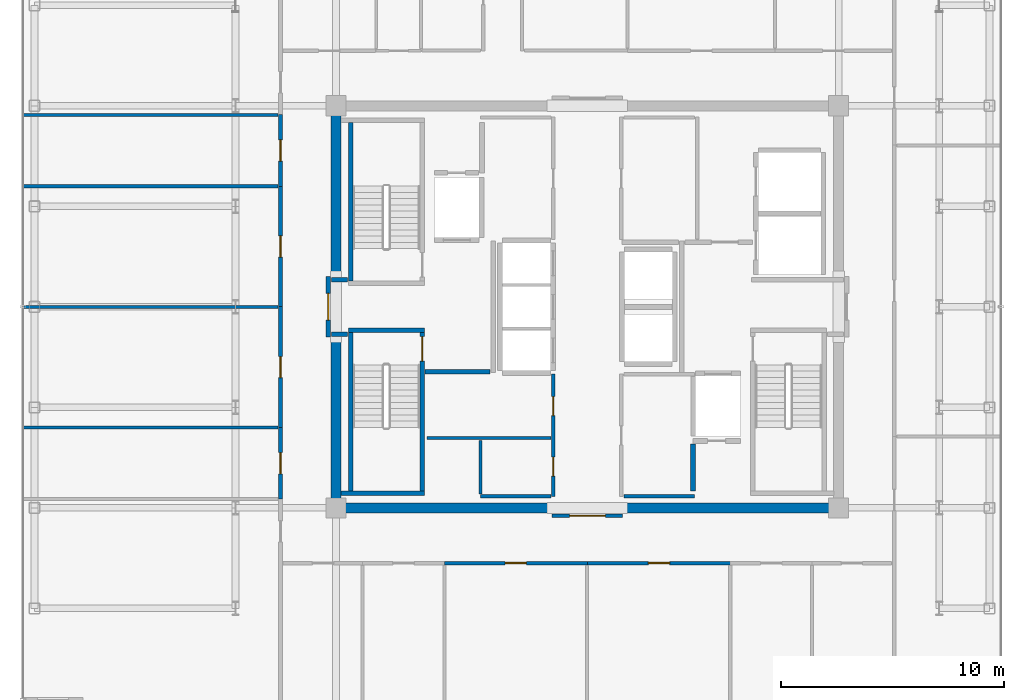
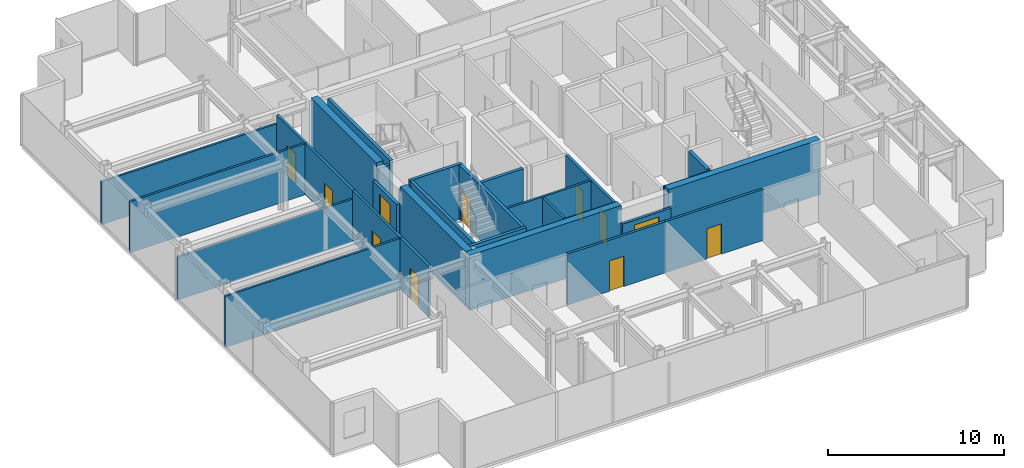
# One storey, part 13 of 18: 30 walls, 11 doors, 11 openings.
"""IFC4 building model written with IfcOpenShell, lengths in metres."""

from ifc_helpers import new_model, si_unit, direction, frame, frame_2d, origin, place, context, subcontext, project, spatial, rectangle, extrude, source, transform, mapped, material, layer, layer_set, type_object, element, fill, save


model = new_model("IFC4")

# Units and contexts
model_context = context("Model", 3, precision=1e-05, world=origin(), true_north=direction((0.0, 1.0)))
body_context = subcontext(model_context, "Body", "Model", "MODEL_VIEW")
ifc_project = project(units=[si_unit("LENGTHUNIT", "METRE"), si_unit("AREAUNIT", "SQUARE_METRE"), si_unit("VOLUMEUNIT", "CUBIC_METRE"), si_unit("PLANEANGLEUNIT", "RADIAN"), si_unit("MASSUNIT", "GRAM", prefix="KILO")], contexts=[model_context])

# Site, building, storey
site_placement = place(None, origin())
site = spatial("IfcSite", under=ifc_project, at=site_placement, CompositionType="ELEMENT")
building_placement = place(site_placement, origin())
building = spatial("IfcBuilding", under=site, at=building_placement, Name="Nefas-Gora Pilgrimage Tower", CompositionType="ELEMENT")
storey_placement = place(building_placement, frame((0.0, 0.0, 302.60009765625)))
storey = spatial("IfcBuildingStorey", under=building, at=storey_placement, Name="L76", CompositionType="ELEMENT", Elevation=302.60009765625)

# Walls
ifc_material_1 = material(Name="Concrete C50/60", Category="concrete")
ifc_layer_1 = layer(ifc_material_1, 0.449951171875)
ifc_layer_set_1 = layer_set([ifc_layer_1], Name="Concrete C50/60")
wall_type_1 = type_object("IfcWallType", Name="SW-CORE-450", PredefinedType="SHEAR", material=ifc_layer_set_1)
shared_shape_1 = source(origin(), body_context, "Body", "SweptSolid", [
    extrude(rectangle(XDim=9.925048828125, YDim=0.449951171875, at=frame_2d((4.96240234375, 0.0))), origin(), (0.0, 0.0, 1.0), 3.7998046875),
])
for number, where, z_axis, x_axis, name in (
    (1, (-11.47509765625, -9.0, 0.0), (0.0, 0.0, 1.0), (1.0, 0.0, 0.0), "L76 Core Shear Wall S-West"),
    (2, (1.550048828125, -9.0, 0.0), (0.0, 0.0, 1.0), (1.0, 0.0, 0.0), "L76 Core Shear Wall S-East"),
):
    element("IfcWall", number, at=place(storey_placement, frame(where, z_axis=z_axis, x_axis=x_axis)), inside=storey, type_object=wall_type_1, Name=name, PredefinedType="SHEAR", context=body_context, shape_type="MappedRepresentation", body=[
        mapped(shared_shape_1, transform((0.0, 0.0, 0.0), x_axis=(1.0, 0.0, 0.0), y_axis=(0.0, 1.0, 0.0), z_axis=(0.0, 0.0, 1.0), scale=1.0)),
    ])
shared_shape_2 = source(origin(), body_context, "Body", "SweptSolid", [
    extrude(rectangle(XDim=7.4248046875, YDim=0.449951171875, at=frame_2d((3.71240234375, 0.0))), origin(), (0.0, 0.0, 1.0), 3.7998046875),
])
for number, where, z_axis, x_axis, name in (
    (3, (-11.25, -8.77490234375, 0.0), (0.0, 0.0, 1.0), (0.0, 1.0, 0.0), "L76 Core Shear Wall W-South"),
    (4, (-11.25, 1.35009765625, 0.0), (0.0, 0.0, 1.0), (0.0, 1.0, 0.0), "L76 Core Shear Wall W-North"),
):
    element("IfcWall", number, at=place(storey_placement, frame(where, z_axis=z_axis, x_axis=x_axis)), inside=storey, type_object=wall_type_1, Name=name, PredefinedType="SHEAR", context=body_context, shape_type="MappedRepresentation", body=[
        mapped(shared_shape_2, transform((0.0, 0.0, 0.0), x_axis=(1.0, 0.0, 0.0), y_axis=(0.0, 1.0, 0.0), z_axis=(0.0, 0.0, 1.0), scale=1.0)),
    ])
ifc_material_2 = material(Name="Concrete C45/55", Category="concrete")
ifc_layer_2 = layer(ifc_material_2, 0.199951171875)
ifc_layer_set_2 = layer_set([ifc_layer_2], Name="Concrete C45/55")
wall_type_2 = type_object("IfcWallType", Name="IW-STAIR-200", PredefinedType="SOLIDWALL", material=ifc_layer_set_2)
shared_shape_3 = source(origin(), body_context, "Body", "SweptSolid", [
    extrude(rectangle(XDim=3.39990234375, YDim=0.199951171875, at=frame_2d((1.699951171875, 0.0))), origin(), (0.0, 0.0, 1.0), 3.7998046875),
])
wall_1_placement = place(storey_placement, frame((-10.699951171875, -1.050048828125, 0.0), z_axis=(0.0, 0.0, 1.0), x_axis=(1.0, 0.0, 0.0)))
element("IfcWall", 5, at=wall_1_placement, inside=storey, type_object=wall_type_2, Name="L76 Stairwell Shear Wall ST-03-near", PredefinedType="SOLIDWALL", context=body_context, shape_type="MappedRepresentation", body=[
    mapped(shared_shape_3, transform((0.0, 0.0, 0.0), x_axis=(1.0, 0.0, 0.0), y_axis=(0.0, 1.0, 0.0), z_axis=(0.0, 0.0, 1.0), scale=1.0)),
])
shared_shape_4 = source(origin(), body_context, "Body", "SweptSolid", [
    extrude(rectangle(XDim=7.10009765625, YDim=0.199951171875, at=frame_2d((3.550048828125, 0.0))), origin(), (0.0, 0.0, 1.0), 3.7998046875),
])
for number, where, z_axis, x_axis, name in (
    (6, (-10.60009765625, 1.14990234375, 0.0), (0.0, 0.0, 1.0), (0.0, 1.0, 0.0), "L76 Stairwell Shear Wall ST-01-right"),
    (7, (-10.60009765625, -1.14990234375, 0.0), (0.0, 0.0, 1.0), (0.0, -1.0, 0.0), "L76 Stairwell Shear Wall ST-03-left"),
):
    element("IfcWall", number, at=place(storey_placement, frame(where, z_axis=z_axis, x_axis=x_axis)), inside=storey, type_object=wall_type_2, Name=name, PredefinedType="SOLIDWALL", context=body_context, shape_type="MappedRepresentation", body=[
        mapped(shared_shape_4, transform((0.0, 0.0, 0.0), x_axis=(1.0, 0.0, 0.0), y_axis=(0.0, 1.0, 0.0), z_axis=(0.0, 0.0, 1.0), scale=1.0)),
    ])

# Wall, opening, door
wall_2_placement = place(storey_placement, frame((-7.39990234375, -1.14990234375, 0.0), z_axis=(0.0, 0.0, 1.0), x_axis=(0.0, -1.0, 0.0)))
wall_2 = element("IfcWall", 8, at=wall_2_placement, inside=storey, type_object=wall_type_2, Name="L76 Stairwell Shear Wall ST-03-right", PredefinedType="SOLIDWALL", context=body_context, shape_type="MappedRepresentation", body=[
    mapped(shared_shape_4, transform((0.0, 0.0, 0.0), x_axis=(1.0, 0.0, 0.0), y_axis=(0.0, 1.0, 0.0), z_axis=(0.0, 0.0, 1.0), scale=1.0)),
])
opening_1_placement = place(wall_2_placement, frame((0.179931640625, 0.0, 0.0)))
opening_1 = element("IfcOpeningElement", 9, at=opening_1_placement, cuts=wall_2, Name="Opening ID-ST1", PredefinedType="OPENING", context=body_context, shape_type="SweptSolid", body=[
    extrude(rectangle(XDim=1.10009765625, YDim=2.14990234375, at=frame_2d((0.550048828125, 1.074951171875))), frame((0.0, 0.10986328125, 0.0), z_axis=(0.0, -1.0, 0.0), x_axis=(1.0, 0.0, 0.0)), (0.0, 0.0, 1.0), 0.219970703125),
])
ifc_material_3 = material(Name="Painted galvanised steel fire stair door", Category="steel")
door_type_1 = type_object("IfcDoorType", Name="DR-INT-STAIR-1100", OperationType="NOTDEFINED", PredefinedType="DOOR", material=ifc_material_3)
shared_shape_5 = source(origin(), body_context, "Body", "SweptSolid", [
    extrude(rectangle(XDim=1.10009765625, YDim=2.14990234375, at=frame_2d((0.550048828125, 1.074951171875))), frame((0.0, 0.02490234375, 0.0), z_axis=(0.0, -1.0, 0.0), x_axis=(1.0, 0.0, 0.0)), (0.0, 0.0, 1.0), 0.050048828125),
])
door_1_placement = place(opening_1_placement, origin())
door_1 = element("IfcDoor", 10, at=door_1_placement, inside=storey, type_object=door_type_1, Name="L76 Protected Exit Stair Door ST-03", OperationType="SINGLE_SWING_RIGHT", OverallHeight=2.14990234375, OverallWidth=1.10009765625, PredefinedType="DOOR", context=body_context, shape_type="MappedRepresentation", body=[
    mapped(shared_shape_5, transform((0.0, 0.0, 0.0), x_axis=(1.0, 0.0, 0.0), y_axis=(0.0, 1.0, 0.0), z_axis=(0.0, 0.0, 1.0), scale=1.0)),
])
fill(opening_1, door_1)

# Walls
shared_shape_6 = source(origin(), body_context, "Body", "SweptSolid", [
    extrude(rectangle(XDim=3.72998046875, YDim=0.199951171875, at=frame_2d((1.864990234375, 0.0))), origin(), (0.0, 0.0, 1.0), 3.7998046875),
])
wall_3_placement = place(storey_placement, frame((-11.030029296875, -8.35009765625, 0.0), z_axis=(0.0, 0.0, 1.0), x_axis=(1.0, 0.0, 0.0)))
element("IfcWall", 11, at=wall_3_placement, inside=storey, type_object=wall_type_2, Name="L76 Stairwell Shear Wall ST-03-far", PredefinedType="SOLIDWALL", context=body_context, shape_type="MappedRepresentation", body=[
    mapped(shared_shape_6, transform((0.0, 0.0, 0.0), x_axis=(1.0, 0.0, 0.0), y_axis=(0.0, 1.0, 0.0), z_axis=(0.0, 0.0, 1.0), scale=1.0)),
])
ifc_material_4 = material(Name="Gypsum fire-rated shaftwall")
ifc_layer_3 = layer(ifc_material_4, 0.199951171875)
ifc_layer_set_3 = layer_set([ifc_layer_3], Name="Gypsum fire-rated shaftwall")
wall_type_3 = type_object("IfcWallType", Name="IW-FFLOB-200", PredefinedType="PARTITIONING", material=ifc_layer_set_3)
shared_shape_7 = source(origin(), body_context, "Body", "SweptSolid", [
    extrude(rectangle(XDim=2.89990234375, YDim=0.199951171875, at=frame_2d((1.449951171875, 0.0))), origin(), (0.0, 0.0, 1.0), 3.534912109375),
])
wall_4_placement = place(storey_placement, frame((-7.260009765625, -2.89990234375, 0.0), z_axis=(0.0, 0.0, 1.0), x_axis=(1.0, 0.0, 0.0)))
element("IfcWall", 12, at=wall_4_placement, inside=storey, type_object=wall_type_3, Name="L76 FF Lobby West South Wall Wall 7", PredefinedType="PARTITIONING", context=body_context, shape_type="MappedRepresentation", body=[
    mapped(shared_shape_7, transform((0.0, 0.0, 0.0), x_axis=(1.0, 0.0, 0.0), y_axis=(0.0, 1.0, 0.0), z_axis=(0.0, 0.0, 1.0), scale=1.0)),
])
shared_shape_8 = source(origin(), body_context, "Body", "SweptSolid", [
    extrude(rectangle(XDim=0.719970703125, YDim=0.199951171875, at=frame_2d((0.35986328125, 0.0))), origin(), (0.0, 0.0, 1.0), 3.534912109375),
])
for number, where, z_axis, x_axis, name in (
    (13, (-11.4599609375, 1.219970703125, 0.0), (0.0, 0.0, 1.0), (1.0, 0.0, 0.0), "L76 FF Lobby West Throat N Wall 8"),
    (14, (-11.4599609375, -1.219970703125, 0.0), (0.0, 0.0, 1.0), (1.0, 0.0, 0.0), "L76 FF Lobby West Throat S Wall 9"),
):
    element("IfcWall", number, at=place(storey_placement, frame(where, z_axis=z_axis, x_axis=x_axis)), inside=storey, type_object=wall_type_3, Name=name, PredefinedType="PARTITIONING", context=body_context, shape_type="MappedRepresentation", body=[
        mapped(shared_shape_8, transform((0.0, 0.0, 0.0), x_axis=(1.0, 0.0, 0.0), y_axis=(0.0, 1.0, 0.0), z_axis=(0.0, 0.0, 1.0), scale=1.0)),
    ])
ifc_material_5 = material(Name="Gypsum twin-stud partition")
ifc_layer_4 = layer(ifc_material_5, 0.139892578125)
ifc_layer_set_4 = layer_set([ifc_layer_4], Name="Gypsum twin-stud partition")
wall_type_4 = type_object("IfcWallType", Name="IW-UNIT-140", PredefinedType="PARTITIONING", material=ifc_layer_set_4)
shared_shape_9 = source(origin(), body_context, "Body", "SweptSolid", [
    extrude(rectangle(XDim=3.150146484375, YDim=0.139892578125, at=frame_2d((1.5751953125, 0.0))), origin(), (0.0, 0.0, 1.0), 3.534912109375),
])
for number, where, z_axis, x_axis, name in (
    (15, (-4.7900390625, -8.47998046875, 0.0), (0.0, 0.0, 1.0), (1.0, 0.0, 0.0), "L76 Freed Bank-2 West Supply Vault Partition Wall 29"),
    (16, (1.639892578125, -8.47998046875, 0.0), (0.0, 0.0, 1.0), (1.0, 0.0, 0.0), "L76 Freed Bank-2 East Linen Store Partition Wall 33"),
):
    element("IfcWall", number, at=place(storey_placement, frame(where, z_axis=z_axis, x_axis=x_axis)), inside=storey, type_object=wall_type_4, Name=name, PredefinedType="PARTITIONING", context=body_context, shape_type="MappedRepresentation", body=[
        mapped(shared_shape_9, transform((0.0, 0.0, 0.0), x_axis=(1.0, 0.0, 0.0), y_axis=(0.0, 1.0, 0.0), z_axis=(0.0, 0.0, 1.0), scale=1.0)),
    ])

# Wall, opening, door
ifc_material_6 = material(Name="Gypsum acoustic stud partition")
ifc_layer_5 = layer(ifc_material_6, 0.159912109375)
ifc_layer_set_5 = layer_set([ifc_layer_5], Name="Gypsum acoustic stud partition")
wall_type_5 = type_object("IfcWallType", Name="IW-CORR-160", PredefinedType="PARTITIONING", material=ifc_layer_set_5)
shared_shape_10 = source(origin(), body_context, "Body", "SweptSolid", [
    extrude(rectangle(XDim=3.2099609375, YDim=0.159912109375, at=frame_2d((1.60498046875, 0.0))), origin(), (0.0, 0.0, 1.0), 3.534912109375),
])
wall_5_placement = place(storey_placement, frame((-13.739990234375, -8.60498046875, 0.0), z_axis=(0.0, 0.0, 1.0), x_axis=(0.0, 1.0, 0.0)))
wall_5 = element("IfcWall", 17, at=wall_5_placement, inside=storey, type_object=wall_type_5, Name="L76 Pastoral Chaplains Counselling Office Partition Wall 39", PredefinedType="PARTITIONING", context=body_context, shape_type="MappedRepresentation", body=[
    mapped(shared_shape_10, transform((0.0, 0.0, 0.0), x_axis=(1.0, 0.0, 0.0), y_axis=(0.0, 1.0, 0.0), z_axis=(0.0, 0.0, 1.0), scale=1.0)),
])
opening_2_placement = place(wall_5_placement, frame((1.1298828125, 0.0, 0.0)))
opening_2 = element("IfcOpeningElement", 18, at=opening_2_placement, cuts=wall_5, Name="Opening ID-GR1", PredefinedType="OPENING", context=body_context, shape_type="SweptSolid", body=[
    extrude(rectangle(XDim=0.949951171875, YDim=2.10009765625, at=frame_2d((0.47509765625, 1.050048828125))), frame((0.0, 0.08984375, 0.0), z_axis=(0.0, -1.0, 0.0), x_axis=(1.0, 0.0, 0.0)), (0.0, 0.0, 1.0), 0.179931640625),
])
ifc_material_7 = material(Name="Solid core oak fire-rated guest entrance door")
door_type_2 = type_object("IfcDoorType", Name="DR-INT-GUEST-950", OperationType="NOTDEFINED", PredefinedType="DOOR", material=ifc_material_7)
shared_shape_11 = source(origin(), body_context, "Body", "SweptSolid", [
    extrude(rectangle(XDim=0.949951171875, YDim=2.10009765625, at=frame_2d((0.47509765625, 1.050048828125))), frame((0.0, 0.02490234375, 0.0), z_axis=(0.0, -1.0, 0.0), x_axis=(1.0, 0.0, 0.0)), (0.0, 0.0, 1.0), 0.050048828125),
])
door_2_placement = place(opening_2_placement, origin())
door_2 = element("IfcDoor", 19, at=door_2_placement, inside=storey, type_object=door_type_2, Name="L76 Pastoral Chaplains Counselling Office Door 16", OperationType="SINGLE_SWING_LEFT", OverallHeight=2.10009765625, OverallWidth=0.949951171875, PredefinedType="DOOR", context=body_context, shape_type="MappedRepresentation", body=[
    mapped(shared_shape_11, transform((0.0, 0.0, 0.0), x_axis=(1.0, 0.0, 0.0), y_axis=(0.0, 1.0, 0.0), z_axis=(0.0, 0.0, 1.0), scale=1.0)),
])
fill(opening_2, door_2)

wall_6_placement = place(storey_placement, frame((-13.739990234375, 5.39501953125, 0.0), z_axis=(0.0, 0.0, 1.0), x_axis=(0.0, 1.0, 0.0)))
wall_6 = element("IfcWall", 20, at=wall_6_placement, inside=storey, type_object=wall_type_5, Name="L76 Scripture Reading Study Partition Wall 45", PredefinedType="PARTITIONING", context=body_context, shape_type="MappedRepresentation", body=[
    mapped(shared_shape_10, transform((0.0, 0.0, 0.0), x_axis=(1.0, 0.0, 0.0), y_axis=(0.0, 1.0, 0.0), z_axis=(0.0, 0.0, 1.0), scale=1.0)),
])
opening_3_placement = place(wall_6_placement, frame((1.1298828125, 0.0, 0.0)))
opening_3 = element("IfcOpeningElement", 21, at=opening_3_placement, cuts=wall_6, Name="Opening ID-GR1", PredefinedType="OPENING", context=body_context, shape_type="SweptSolid", body=[
    extrude(rectangle(XDim=0.949951171875, YDim=2.10009765625, at=frame_2d((0.47509765625, 1.050048828125))), frame((0.0, 0.08984375, 0.0), z_axis=(0.0, -1.0, 0.0), x_axis=(1.0, 0.0, 0.0)), (0.0, 0.0, 1.0), 0.179931640625),
])
door_3_placement = place(opening_3_placement, origin())
door_3 = element("IfcDoor", 22, at=door_3_placement, inside=storey, type_object=door_type_2, Name="L76 Scripture Reading Study Door 19", OperationType="SINGLE_SWING_RIGHT", OverallHeight=2.10009765625, OverallWidth=0.949951171875, PredefinedType="DOOR", context=body_context, shape_type="MappedRepresentation", body=[
    mapped(shared_shape_11, transform((0.0, 0.0, 0.0), x_axis=(1.0, 0.0, 0.0), y_axis=(0.0, 1.0, 0.0), z_axis=(0.0, 0.0, 1.0), scale=1.0)),
])
fill(opening_3, door_3)

shared_shape_12 = source(origin(), body_context, "Body", "SweptSolid", [
    extrude(rectangle(XDim=6.405029296875, YDim=0.159912109375, at=frame_2d((3.20263671875, 0.0))), origin(), (0.0, 0.0, 1.0), 3.534912109375),
])
wall_7_placement = place(storey_placement, frame((-6.405029296875, -11.469970703125, 0.0), z_axis=(0.0, 0.0, 1.0), x_axis=(1.0, 0.0, 0.0)))
wall_7 = element("IfcWall", 23, at=wall_7_placement, inside=storey, type_object=wall_type_5, Name="L76 Pilgrim Contemplative Lounge Partition Wall 67", PredefinedType="PARTITIONING", context=body_context, shape_type="MappedRepresentation", body=[
    mapped(shared_shape_12, transform((0.0, 0.0, 0.0), x_axis=(1.0, 0.0, 0.0), y_axis=(0.0, 1.0, 0.0), z_axis=(0.0, 0.0, 1.0), scale=1.0)),
])
opening_4_placement = place(wall_7_placement, frame((2.7275390625, 0.0, 0.0)))
opening_4 = element("IfcOpeningElement", 24, at=opening_4_placement, cuts=wall_7, Name="Opening ID-GR1", PredefinedType="OPENING", context=body_context, shape_type="SweptSolid", body=[
    extrude(rectangle(XDim=0.949951171875, YDim=2.10009765625, at=frame_2d((0.47509765625, 1.050048828125))), frame((0.0, 0.08984375, 0.0), z_axis=(0.0, -1.0, 0.0), x_axis=(1.0, 0.0, 0.0)), (0.0, 0.0, 1.0), 0.179931640625),
])
door_4_placement = place(opening_4_placement, origin())
door_4 = element("IfcDoor", 25, at=door_4_placement, inside=storey, type_object=door_type_2, Name="L76 Pilgrim Contemplative Lounge Door 30", OperationType="SINGLE_SWING_LEFT", OverallHeight=2.10009765625, OverallWidth=0.949951171875, PredefinedType="DOOR", context=body_context, shape_type="MappedRepresentation", body=[
    mapped(shared_shape_11, transform((0.0, 0.0, 0.0), x_axis=(1.0, 0.0, 0.0), y_axis=(0.0, 1.0, 0.0), z_axis=(0.0, 0.0, 1.0), scale=1.0)),
])
fill(opening_4, door_4)

wall_8_placement = place(storey_placement, frame((0.0, -11.469970703125, 0.0), z_axis=(0.0, 0.0, 1.0), x_axis=(1.0, 0.0, 0.0)))
wall_8 = element("IfcWall", 26, at=wall_8_placement, inside=storey, type_object=wall_type_5, Name="L76 Pilgrim Contemplative Lounge Partition Wall 69", PredefinedType="PARTITIONING", context=body_context, shape_type="MappedRepresentation", body=[
    mapped(shared_shape_12, transform((0.0, 0.0, 0.0), x_axis=(1.0, 0.0, 0.0), y_axis=(0.0, 1.0, 0.0), z_axis=(0.0, 0.0, 1.0), scale=1.0)),
])
opening_5_placement = place(wall_8_placement, frame((2.7275390625, 0.0, 0.0)))
opening_5 = element("IfcOpeningElement", 27, at=opening_5_placement, cuts=wall_8, Name="Opening ID-GR1", PredefinedType="OPENING", context=body_context, shape_type="SweptSolid", body=[
    extrude(rectangle(XDim=0.949951171875, YDim=2.10009765625, at=frame_2d((0.47509765625, 1.050048828125))), frame((0.0, 0.08984375, 0.0), z_axis=(0.0, -1.0, 0.0), x_axis=(1.0, 0.0, 0.0)), (0.0, 0.0, 1.0), 0.179931640625),
])
door_5_placement = place(opening_5_placement, origin())
door_5 = element("IfcDoor", 28, at=door_5_placement, inside=storey, type_object=door_type_2, Name="L76 Pilgrim Contemplative Lounge Door 31", OperationType="SINGLE_SWING_RIGHT", OverallHeight=2.10009765625, OverallWidth=0.949951171875, PredefinedType="DOOR", context=body_context, shape_type="MappedRepresentation", body=[
    mapped(shared_shape_11, transform((0.0, 0.0, 0.0), x_axis=(1.0, 0.0, 0.0), y_axis=(0.0, 1.0, 0.0), z_axis=(0.0, 0.0, 1.0), scale=1.0)),
])
fill(opening_5, door_5)

# Walls
shared_shape_13 = source(origin(), body_context, "Body", "SweptSolid", [
    extrude(rectangle(XDim=11.429931640625, YDim=0.139892578125, at=frame_2d((5.71484375, 0.0))), origin(), (0.0, 0.0, 1.0), 3.534912109375),
])
for number, where, z_axis, x_axis, name in (
    (29, (-25.2900390625, -5.405029296875, 0.0), (0.0, 0.0, 1.0), (1.0, 0.0, 0.0), "L76 Pastoral Chaplains Counselling Office Partition Wall 40"),
    (30, (-25.2900390625, 5.39501953125, 0.0), (0.0, 0.0, 1.0), (1.0, 0.0, 0.0), "L76 Pilgrim Floor Concierge Foyer Partition Wall 44"),
):
    element("IfcWall", number, at=place(storey_placement, frame(where, z_axis=z_axis, x_axis=x_axis)), inside=storey, type_object=wall_type_4, Name=name, PredefinedType="PARTITIONING", context=body_context, shape_type="MappedRepresentation", body=[
        mapped(shared_shape_13, transform((0.0, 0.0, 0.0), x_axis=(1.0, 0.0, 0.0), y_axis=(0.0, 1.0, 0.0), z_axis=(0.0, 0.0, 1.0), scale=1.0)),
    ])

# Wall, openings, doors
shared_shape_14 = source(origin(), body_context, "Body", "SweptSolid", [
    extrude(rectangle(XDim=5.47998046875, YDim=0.159912109375, at=frame_2d((2.739990234375, 0.0))), origin(), (0.0, 0.0, 1.0), 3.534912109375),
])
wall_9_placement = place(storey_placement, frame((-1.52001953125, -8.489990234375, 0.0), z_axis=(0.0, 0.0, 1.0), x_axis=(0.0, 1.0, 0.0)))
wall_9 = element("IfcWall", 31, at=wall_9_placement, inside=storey, type_object=wall_type_5, Name="L76 Pilgrim Baggage and Gear Vault Wall 25", PredefinedType="PARTITIONING", context=body_context, shape_type="MappedRepresentation", body=[
    mapped(shared_shape_14, transform((0.0, 0.0, 0.0), x_axis=(1.0, 0.0, 0.0), y_axis=(0.0, 1.0, 0.0), z_axis=(0.0, 0.0, 1.0), scale=1.0)),
])
opening_6_placement = place(wall_9_placement, frame((0.907470703125, 0.0, 0.0)))
opening_6 = element("IfcOpeningElement", 32, at=opening_6_placement, cuts=wall_9, Name="Opening ID-BT1", PredefinedType="OPENING", context=body_context, shape_type="SweptSolid", body=[
    extrude(rectangle(XDim=0.85009765625, YDim=2.10009765625, at=frame_2d((0.425048828125, 1.050048828125))), frame((0.0, 0.08984375, 0.0), z_axis=(0.0, -1.0, 0.0), x_axis=(1.0, 0.0, 0.0)), (0.0, 0.0, 1.0), 0.179931640625),
])
opening_7_placement = place(wall_9_placement, frame((3.614990234375, 0.0, 0.0)))
opening_7 = element("IfcOpeningElement", 33, at=opening_7_placement, cuts=wall_9, Name="Opening ID-BT1", PredefinedType="OPENING", context=body_context, shape_type="SweptSolid", body=[
    extrude(rectangle(XDim=0.85009765625, YDim=2.10009765625, at=frame_2d((0.425048828125, 1.050048828125))), frame((0.0, 0.08984375, 0.0), z_axis=(0.0, -1.0, 0.0), x_axis=(1.0, 0.0, 0.0)), (0.0, 0.0, 1.0), 0.179931640625),
])
ifc_material_8 = material(Name="Moisture-resistant fire-rated timber door", Category="wood")
door_type_3 = type_object("IfcDoorType", Name="DR-INT-BATH-850", OperationType="NOTDEFINED", PredefinedType="DOOR", material=ifc_material_8)
shared_shape_15 = source(origin(), body_context, "Body", "SweptSolid", [
    extrude(rectangle(XDim=0.85009765625, YDim=2.10009765625, at=frame_2d((0.425048828125, 1.050048828125))), frame((0.0, 0.02490234375, 0.0), z_axis=(0.0, -1.0, 0.0), x_axis=(1.0, 0.0, 0.0)), (0.0, 0.0, 1.0), 0.050048828125),
])
door_6_placement = place(opening_6_placement, origin())
door_6 = element("IfcDoor", 34, at=door_6_placement, inside=storey, type_object=door_type_3, Name="L76 Freed Bank-2 West Supply Vault Door 10", OperationType="SINGLE_SWING_LEFT", OverallHeight=2.10009765625, OverallWidth=0.85009765625, PredefinedType="DOOR", context=body_context, shape_type="MappedRepresentation", body=[
    mapped(shared_shape_15, transform((0.0, 0.0, 0.0), x_axis=(1.0, 0.0, 0.0), y_axis=(0.0, 1.0, 0.0), z_axis=(0.0, 0.0, 1.0), scale=1.0)),
])
fill(opening_6, door_6)
door_7_placement = place(opening_7_placement, origin())
door_7 = element("IfcDoor", 35, at=door_7_placement, inside=storey, type_object=door_type_3, Name="L76 Pilgrim Baggage and Gear Vault Door 11", OperationType="SINGLE_SWING_RIGHT", OverallHeight=2.10009765625, OverallWidth=0.85009765625, PredefinedType="DOOR", context=body_context, shape_type="MappedRepresentation", body=[
    mapped(shared_shape_15, transform((0.0, 0.0, 0.0), x_axis=(1.0, 0.0, 0.0), y_axis=(0.0, 1.0, 0.0), z_axis=(0.0, 0.0, 1.0), scale=1.0)),
])
fill(opening_7, door_7)

# Wall, opening, door
shared_shape_16 = source(origin(), body_context, "Body", "SweptSolid", [
    extrude(rectangle(XDim=5.409912109375, YDim=0.159912109375, at=frame_2d((2.705078125, 0.0))), origin(), (0.0, 0.0, 1.0), 3.534912109375),
])
wall_10_placement = place(storey_placement, frame((-13.739990234375, -5.405029296875, 0.0), z_axis=(0.0, 0.0, 1.0), x_axis=(0.0, 1.0, 0.0)))
wall_10 = element("IfcWall", 36, at=wall_10_placement, inside=storey, type_object=wall_type_5, Name="L76 Pilgrim Floor Concierge Foyer Partition Wall 41", PredefinedType="PARTITIONING", context=body_context, shape_type="MappedRepresentation", body=[
    mapped(shared_shape_16, transform((0.0, 0.0, 0.0), x_axis=(1.0, 0.0, 0.0), y_axis=(0.0, 1.0, 0.0), z_axis=(0.0, 0.0, 1.0), scale=1.0)),
])
opening_8_placement = place(wall_10_placement, frame((2.22998046875, 0.0, 0.0)))
opening_8 = element("IfcOpeningElement", 37, at=opening_8_placement, cuts=wall_10, Name="Opening ID-GR1", PredefinedType="OPENING", context=body_context, shape_type="SweptSolid", body=[
    extrude(rectangle(XDim=0.949951171875, YDim=2.10009765625, at=frame_2d((0.47509765625, 1.050048828125))), frame((0.0, 0.08984375, 0.0), z_axis=(0.0, -1.0, 0.0), x_axis=(1.0, 0.0, 0.0)), (0.0, 0.0, 1.0), 0.179931640625),
])
door_8_placement = place(opening_8_placement, origin())
door_8 = element("IfcDoor", 38, at=door_8_placement, inside=storey, type_object=door_type_2, Name="L76 Pilgrim Floor Concierge Foyer Door 17", OperationType="SINGLE_SWING_RIGHT", OverallHeight=2.10009765625, OverallWidth=0.949951171875, PredefinedType="DOOR", context=body_context, shape_type="MappedRepresentation", body=[
    mapped(shared_shape_11, transform((0.0, 0.0, 0.0), x_axis=(1.0, 0.0, 0.0), y_axis=(0.0, 1.0, 0.0), z_axis=(0.0, 0.0, 1.0), scale=1.0)),
])
fill(opening_8, door_8)

wall_11_placement = place(storey_placement, frame((-13.739990234375, -0.0048828125, 0.0), z_axis=(0.0, 0.0, 1.0), x_axis=(0.0, 1.0, 0.0)))
wall_11 = element("IfcWall", 39, at=wall_11_placement, inside=storey, type_object=wall_type_5, Name="L76 Pilgrim Floor Concierge Foyer Partition Wall 43", PredefinedType="PARTITIONING", context=body_context, shape_type="MappedRepresentation", body=[
    mapped(shared_shape_16, transform((0.0, 0.0, 0.0), x_axis=(1.0, 0.0, 0.0), y_axis=(0.0, 1.0, 0.0), z_axis=(0.0, 0.0, 1.0), scale=1.0)),
])
opening_9_placement = place(wall_11_placement, frame((2.22998046875, 0.0, 0.0)))
opening_9 = element("IfcOpeningElement", 40, at=opening_9_placement, cuts=wall_11, Name="Opening ID-GR1", PredefinedType="OPENING", context=body_context, shape_type="SweptSolid", body=[
    extrude(rectangle(XDim=0.949951171875, YDim=2.10009765625, at=frame_2d((0.47509765625, 1.050048828125))), frame((0.0, 0.08984375, 0.0), z_axis=(0.0, -1.0, 0.0), x_axis=(1.0, 0.0, 0.0)), (0.0, 0.0, 1.0), 0.179931640625),
])
door_9_placement = place(opening_9_placement, origin())
door_9 = element("IfcDoor", 41, at=door_9_placement, inside=storey, type_object=door_type_2, Name="L76 Pilgrim Floor Concierge Foyer Door 18", OperationType="SINGLE_SWING_LEFT", OverallHeight=2.10009765625, OverallWidth=0.949951171875, PredefinedType="DOOR", context=body_context, shape_type="MappedRepresentation", body=[
    mapped(shared_shape_11, transform((0.0, 0.0, 0.0), x_axis=(1.0, 0.0, 0.0), y_axis=(0.0, 1.0, 0.0), z_axis=(0.0, 0.0, 1.0), scale=1.0)),
])
fill(opening_9, door_9)

shared_shape_17 = source(origin(), body_context, "Body", "SweptSolid", [
    extrude(rectangle(XDim=2.7001953125, YDim=0.199951171875, at=frame_2d((1.35009765625, 0.0))), origin(), (0.0, 0.0, 1.0), 2.625),
])
wall_12_placement = place(storey_placement, frame((-11.60009765625, -1.35009765625, 0.0), z_axis=(0.0, 0.0, 1.0), x_axis=(0.0, 1.0, 0.0)))
wall_12 = element("IfcWall", 42, at=wall_12_placement, inside=storey, type_object=wall_type_3, Name="L76 FF Lobby West Portal Wall 5", PredefinedType="PARTITIONING", context=body_context, shape_type="MappedRepresentation", body=[
    mapped(shared_shape_17, transform((0.0, 0.0, 0.0), x_axis=(1.0, 0.0, 0.0), y_axis=(0.0, 1.0, 0.0), z_axis=(0.0, 0.0, 1.0), scale=1.0)),
])
opening_10_placement = place(wall_12_placement, frame((0.75, 0.0, 0.0)))
opening_10 = element("IfcOpeningElement", 43, at=opening_10_placement, cuts=wall_12, Name="Opening ID-FF1", PredefinedType="OPENING", context=body_context, shape_type="SweptSolid", body=[
    extrude(rectangle(XDim=1.199951171875, YDim=2.14990234375, at=frame_2d((0.60009765625, 1.074951171875))), frame((0.0, 0.10986328125, 0.0), z_axis=(0.0, -1.0, 0.0), x_axis=(1.0, 0.0, 0.0)), (0.0, 0.0, 1.0), 0.219970703125),
])
ifc_material_9 = material(Name="Smoke-sealed steel firefighting lobby door", Category="steel")
door_type_4 = type_object("IfcDoorType", Name="DR-INT-FFLOB-1200", OperationType="NOTDEFINED", PredefinedType="DOOR", material=ifc_material_9)
shared_shape_18 = source(origin(), body_context, "Body", "SweptSolid", [
    extrude(rectangle(XDim=1.199951171875, YDim=2.14990234375, at=frame_2d((0.60009765625, 1.074951171875))), frame((0.0, 0.02490234375, 0.0), z_axis=(0.0, -1.0, 0.0), x_axis=(1.0, 0.0, 0.0)), (0.0, 0.0, 1.0), 0.050048828125),
])
door_10_placement = place(opening_10_placement, origin())
door_10 = element("IfcDoor", 44, at=door_10_placement, inside=storey, type_object=door_type_4, Name="L76 FF Lobby West Portal Door 3", OperationType="SINGLE_SWING_RIGHT", OverallHeight=2.14990234375, OverallWidth=1.199951171875, PredefinedType="DOOR", context=body_context, shape_type="MappedRepresentation", body=[
    mapped(shared_shape_18, transform((0.0, 0.0, 0.0), x_axis=(1.0, 0.0, 0.0), y_axis=(0.0, 1.0, 0.0), z_axis=(0.0, 0.0, 1.0), scale=1.0)),
])
fill(opening_10, door_10)

shared_shape_19 = source(origin(), body_context, "Body", "SweptSolid", [
    extrude(rectangle(XDim=3.16015625, YDim=0.159912109375, at=frame_2d((1.580078125, 0.0))), origin(), (0.0, 0.0, 1.0), 2.625),
])
wall_13_placement = place(storey_placement, frame((-1.580078125, -9.35009765625, 0.0), z_axis=(0.0, 0.0, 1.0), x_axis=(1.0, 0.0, 0.0)))
wall_13 = element("IfcWall", 45, at=wall_13_placement, inside=storey, type_object=wall_type_5, Name="L76 Central Lift Lobby South Portal Wall 17", PredefinedType="PARTITIONING", context=body_context, shape_type="MappedRepresentation", body=[
    mapped(shared_shape_19, transform((0.0, 0.0, 0.0), x_axis=(1.0, 0.0, 0.0), y_axis=(0.0, 1.0, 0.0), z_axis=(0.0, 0.0, 1.0), scale=1.0)),
])
opening_11_placement = place(wall_13_placement, frame((0.780029296875, 0.0, 0.0)))
opening_11 = element("IfcOpeningElement", 46, at=opening_11_placement, cuts=wall_13, Name="Opening ID-HL1", PredefinedType="OPENING", context=body_context, shape_type="SweptSolid", body=[
    extrude(rectangle(XDim=1.60009765625, YDim=2.300048828125, at=frame_2d((0.800048828125, 1.14990234375))), frame((0.0, 0.08984375, 0.0), z_axis=(0.0, -1.0, 0.0), x_axis=(1.0, 0.0, 0.0)), (0.0, 0.0, 1.0), 0.179931640625),
])
ifc_material_10 = material(Name="Double acoustic timber assembly hall door", Category="wood")
door_type_5 = type_object("IfcDoorType", Name="DR-INT-HALL-1600", OperationType="DOUBLE_DOOR_SINGLE_SWING", PredefinedType="DOOR", material=ifc_material_10)
shared_shape_20 = source(origin(), body_context, "Body", "SweptSolid", [
    extrude(rectangle(XDim=1.60009765625, YDim=2.300048828125, at=frame_2d((0.800048828125, 1.14990234375))), frame((0.0, 0.02490234375, 0.0), z_axis=(0.0, -1.0, 0.0), x_axis=(1.0, 0.0, 0.0)), (0.0, 0.0, 1.0), 0.050048828125),
])
door_11_placement = place(opening_11_placement, origin())
door_11 = element("IfcDoor", 47, at=door_11_placement, inside=storey, type_object=door_type_5, Name="L76 Central Lift Lobby South Portal Door 7", OperationType="DOUBLE_DOOR_SINGLE_SWING", OverallHeight=2.300048828125, OverallWidth=1.60009765625, PredefinedType="DOOR", context=body_context, shape_type="MappedRepresentation", body=[
    mapped(shared_shape_20, transform((0.0, 0.0, 0.0), x_axis=(1.0, 0.0, 0.0), y_axis=(0.0, 1.0, 0.0), z_axis=(0.0, 0.0, 1.0), scale=1.0)),
])
fill(opening_11, door_11)

# Walls
ifc_material_11 = material(Name="Concrete C40/50", Category="concrete")
ifc_layer_6 = layer(ifc_material_11, 0.219970703125)
ifc_layer_set_6 = layer_set([ifc_layer_6], Name="Concrete C40/50")
wall_type_6 = type_object("IfcWallType", Name="IW-SHAFT-220", PredefinedType="SOLIDWALL", material=ifc_layer_set_6)
shared_shape_21 = source(origin(), body_context, "Body", "SweptSolid", [
    extrude(rectangle(XDim=2.10009765625, YDim=0.219970703125, at=frame_2d((1.050048828125, 0.0))), origin(), (0.0, 0.0, 1.0), 3.534912109375),
])
wall_14_placement = place(storey_placement, frame((4.719970703125, -8.25, 0.0), z_axis=(0.0, 0.0, 1.0), x_axis=(0.0, 1.0, 0.0)))
element("IfcWall", 48, at=wall_14_placement, inside=storey, type_object=wall_type_6, Name="L76 Riser Shaft Wall 4", PredefinedType="SOLIDWALL", context=body_context, shape_type="MappedRepresentation", body=[
    mapped(shared_shape_21, transform((0.0, 0.0, 0.0), x_axis=(1.0, 0.0, 0.0), y_axis=(0.0, 1.0, 0.0), z_axis=(0.0, 0.0, 1.0), scale=1.0)),
])
shared_shape_22 = source(origin(), body_context, "Body", "SweptSolid", [
    extrude(rectangle(XDim=5.550048828125, YDim=0.139892578125, at=frame_2d((2.77490234375, 0.0))), origin(), (0.0, 0.0, 1.0), 3.534912109375),
])
wall_15_placement = place(storey_placement, frame((-7.18994140625, -5.8798828125, 0.0), z_axis=(0.0, 0.0, 1.0), x_axis=(1.0, 0.0, 0.0)))
element("IfcWall", 49, at=wall_15_placement, inside=storey, type_object=wall_type_4, Name="L76 Pilgrim Baggage and Gear Vault Partition Wall 26", PredefinedType="PARTITIONING", context=body_context, shape_type="MappedRepresentation", body=[
    mapped(shared_shape_22, transform((0.0, 0.0, 0.0), x_axis=(1.0, 0.0, 0.0), y_axis=(0.0, 1.0, 0.0), z_axis=(0.0, 0.0, 1.0), scale=1.0)),
])
shared_shape_23 = source(origin(), body_context, "Body", "SweptSolid", [
    extrude(rectangle(XDim=2.380126953125, YDim=0.139892578125, at=frame_2d((1.18994140625, 0.0))), origin(), (0.0, 0.0, 1.0), 3.534912109375),
])
wall_16_placement = place(storey_placement, frame((-4.780029296875, -8.3701171875, 0.0), z_axis=(0.0, 0.0, 1.0), x_axis=(0.0, 1.0, 0.0)))
element("IfcWall", 50, at=wall_16_placement, inside=storey, type_object=wall_type_4, Name="L76 Freed Bank-2 West Supply Vault Partition Wall 30", PredefinedType="PARTITIONING", context=body_context, shape_type="MappedRepresentation", body=[
    mapped(shared_shape_23, transform((0.0, 0.0, 0.0), x_axis=(1.0, 0.0, 0.0), y_axis=(0.0, 1.0, 0.0), z_axis=(0.0, 0.0, 1.0), scale=1.0)),
])
shared_shape_24 = source(origin(), body_context, "Body", "SweptSolid", [
    extrude(rectangle(XDim=11.429931640625, YDim=0.139892578125, at=frame_2d((5.71484375, 0.0))), origin(), (0.0, 0.0, 1.0), 2.974853515625),
])
for number, where, z_axis, x_axis, name in (
    (51, (-25.2900390625, -0.0048828125, 0.0), (0.0, 0.0, 1.0), (1.0, 0.0, 0.0), "L76 Pilgrim Floor Concierge Foyer Partition Wall 42"),
    (52, (-25.2900390625, 8.594970703125, 0.0), (0.0, 0.0, 1.0), (1.0, 0.0, 0.0), "L76 Scripture Reading Study Partition Wall 46"),
):
    element("IfcWall", number, at=place(storey_placement, frame(where, z_axis=z_axis, x_axis=x_axis)), inside=storey, type_object=wall_type_4, Name=name, PredefinedType="PARTITIONING", context=body_context, shape_type="MappedRepresentation", body=[
        mapped(shared_shape_24, transform((0.0, 0.0, 0.0), x_axis=(1.0, 0.0, 0.0), y_axis=(0.0, 1.0, 0.0), z_axis=(0.0, 0.0, 1.0), scale=1.0)),
    ])

save(model, "model.ifc")
